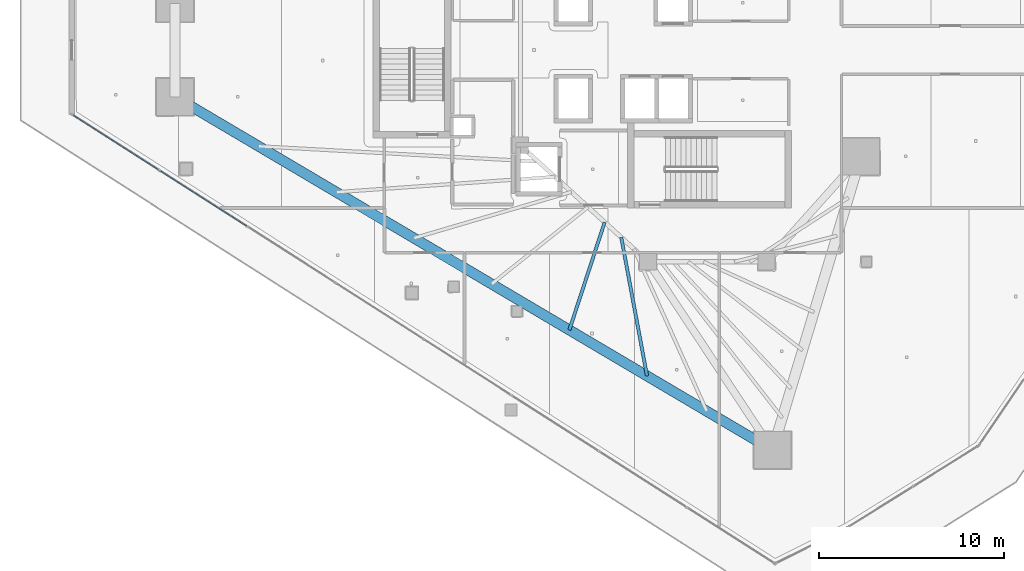
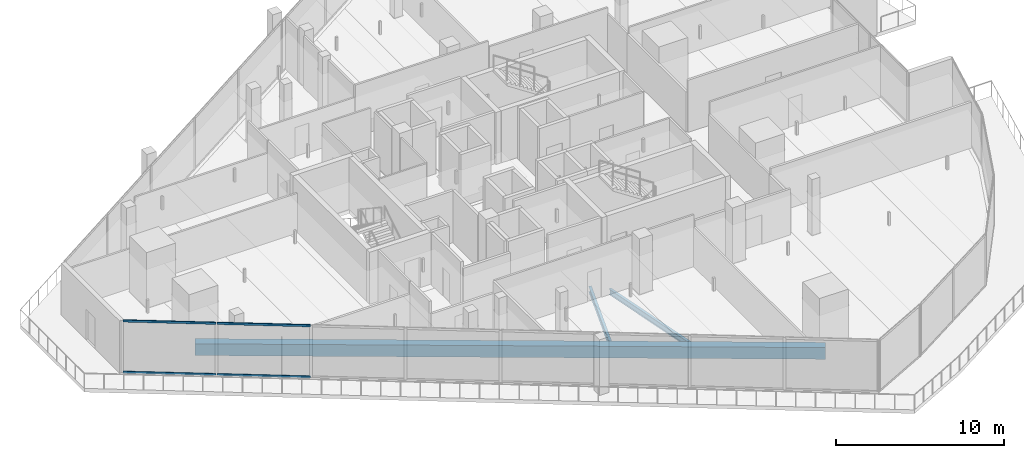
# One storey, part 5 of 36: 4 members, 3 beams, 1 element without a shape of its own.
"""IFC4 building model written with IfcOpenShell, lengths in metres."""

from ifc_helpers import new_model, si_unit, direction, frame, origin, origin_2d, place, context, subcontext, project, spatial, rectangle, hollow_rectangle, i_section, extrude, material, layer, layer_set, material_profile, profile_set, type_object, element, aggregate, save


model = new_model("IFC4")

# Units and contexts
model_context = context("Model", 3, precision=1e-05, world=origin(), true_north=direction((0.0, 1.0)))
body_context = subcontext(model_context, "Body", "Model", "MODEL_VIEW")
ifc_project = project(units=[si_unit("LENGTHUNIT", "METRE"), si_unit("AREAUNIT", "SQUARE_METRE"), si_unit("VOLUMEUNIT", "CUBIC_METRE"), si_unit("PLANEANGLEUNIT", "RADIAN"), si_unit("MASSUNIT", "GRAM", prefix="KILO")], contexts=[model_context])

# Site, building, storey
site_placement = place(None, origin())
site = spatial("IfcSite", under=ifc_project, at=site_placement, CompositionType="ELEMENT")
building_placement = place(site_placement, origin())
building = spatial("IfcBuilding", under=site, at=building_placement, Name="Qorvath Tower", CompositionType="ELEMENT")
storey_placement = place(building_placement, frame((0.0, 0.0, 205.050048828125)))
storey = spatial("IfcBuildingStorey", under=building, at=storey_placement, Name="L47", CompositionType="ELEMENT", Elevation=205.050048828125)

# Beams
ifc_material_1 = material(Name="Steel ASTM A992 Grade 50", Category="steel")
ifc_material_profile_1 = material_profile(ifc_material_1, i_section(OverallWidth=0.177978515625, OverallDepth=0.406005859375, WebThickness=0.0078125, FlangeThickness=0.0126953125, FilletRadius=0.010986328125, at=origin_2d()), Name="W16x40")
ifc_profile_set_1 = profile_set([ifc_material_profile_1], Name="Steel ASTM A992 Grade 50")
beam_type_1 = type_object("IfcBeamType", Name="BM-FJ3", PredefinedType="JOIST", material=ifc_profile_set_1)
beam_1_placement = place(storey_placement, frame((-25.946044921875, -9.30810546875, -0.47314453125), z_axis=(-0.311228747452, -0.950335028692, 0.0), x_axis=(0.950335028692, -0.311228747452, 0.0)))
element("IfcBeam", 1, at=beam_1_placement, inside=storey, type_object=beam_type_1, Name="Composite Floor Joist SW5 L47", PredefinedType="JOIST", context=body_context, shape_type="SweptSolid", body=[
    extrude(i_section(OverallWidth=0.177978515625, OverallDepth=0.406005859375, WebThickness=0.0078125, FlangeThickness=0.0126953125, FilletRadius=0.010986328125, at=origin_2d()), origin(), (0.0, 0.0, 1.0), 6.129638671875),
])
beam_2_placement = place(storey_placement, frame((-25.049072265625, -10.126953125, -0.47314453125), z_axis=(0.183026775988, -0.983107928598, 0.0), x_axis=(0.983107928598, 0.183026775988, 0.0)))
element("IfcBeam", 2, at=beam_2_placement, inside=storey, type_object=beam_type_1, Name="Composite Floor Joist SW6 L47", PredefinedType="JOIST", context=body_context, shape_type="SweptSolid", body=[
    extrude(i_section(OverallWidth=0.177978515625, OverallDepth=0.406005859375, WebThickness=0.0078125, FlangeThickness=0.0126953125, FilletRadius=0.010986328125, at=origin_2d()), origin(), (0.0, 0.0, 1.0), 7.617919921875),
])
ifc_material_2 = material(Name="Concrete C50/60", Category="concrete")
ifc_material_profile_2 = material_profile(ifc_material_2, rectangle(XDim=0.550048828125, YDim=0.85009765625, at=origin_2d()), Name="RCB 850x550")
ifc_profile_set_2 = profile_set([ifc_material_profile_2], Name="Concrete C50/60")
beam_type_2 = type_object("IfcBeamType", Name="BM-RCB2", PredefinedType="SPANDREL", material=ifc_profile_set_2)
beam_3_placement = place(storey_placement, frame((-49.171875, -2.52783203125, -0.695068359375), z_axis=(0.860776759786, -0.50898268125, 0.0), x_axis=(0.50898268125, 0.860776759786, 0.0)))
element("IfcBeam", 3, at=beam_3_placement, inside=storey, type_object=beam_type_2, Name="Perimeter Loggia Frame Beam MC2-MC3 L47", PredefinedType="SPANDREL", context=body_context, shape_type="SweptSolid", body=[
    extrude(rectangle(XDim=0.550048828125, YDim=0.85009765625, at=origin_2d()), origin(), (0.0, 0.0, 1.0), 37.524658203125),
])

# Curtain wall, members
ifc_material_3 = material(Name="Anodised aluminium and triple low-E glass", Category="aluminium")
ifc_layer = layer(ifc_material_3, 0.179931640625)
ifc_layer_set = layer_set([ifc_layer], Name="CW-SYS-3")
curtain_wall_type = type_object("IfcCurtainWallType", Name="CW-SYS-3", PredefinedType="NOTDEFINED", material=ifc_layer_set)
curtain_wall_placement = place(storey_placement, origin())
curtain_wall = element("IfcCurtainWall", 4, at=curtain_wall_placement, inside=storey, type_object=curtain_wall_type, Name="Curtain Wall CW-3 CW-T-L47-2.1", PredefinedType="NOTDEFINED")
ifc_material_4 = material(Name="Anodised aluminium 6063-T6", Category="aluminium")
ifc_material_profile_3 = material_profile(ifc_material_4, hollow_rectangle(XDim=0.06494140625, YDim=0.159912109375, WallThickness=0.00341796875, InnerFilletRadius=0.00341796875, OuterFilletRadius=0.007080078125, at=origin_2d()), Name="CWT 160x65")
ifc_profile_set_3 = profile_set([ifc_material_profile_3], Name="Anodised aluminium 6063-T6")
member_type = type_object("IfcMemberType", Name="CWT-160", PredefinedType="USERDEFINED", material=ifc_profile_set_3)
member_1_placement = place(storey_placement, frame((-54.7080078125, -3.50634765625, 0.032470703125), z_axis=(0.842595217297, -0.538547397903, 0.0), x_axis=(0.538547397903, 0.842595217297, 0.0)))
member_1 = element("IfcMember", 5, at=member_1_placement, type_object=member_type, Name="CW-3 transom 1.1", ObjectType="TRANSOM", PredefinedType="USERDEFINED", context=body_context, shape_type="SweptSolid", body=[
    extrude(hollow_rectangle(XDim=0.06494140625, YDim=0.159912109375, WallThickness=0.00341796875, InnerFilletRadius=0.00341796875, OuterFilletRadius=0.007080078125, at=origin_2d()), origin(), (0.0, 0.0, 1.0), 5.54296875),
])
member_2_placement = place(storey_placement, frame((-54.7080078125, -3.50634765625, 3.74755859375), z_axis=(0.842595217297, -0.538547397903, 0.0), x_axis=(0.538547397903, 0.842595217297, 0.0)))
member_2 = element("IfcMember", 6, at=member_2_placement, type_object=member_type, Name="CW-3 transom 1.2", ObjectType="TRANSOM", PredefinedType="USERDEFINED", context=body_context, shape_type="SweptSolid", body=[
    extrude(hollow_rectangle(XDim=0.06494140625, YDim=0.159912109375, WallThickness=0.00341796875, InnerFilletRadius=0.00341796875, OuterFilletRadius=0.007080078125, at=origin_2d()), origin(), (0.0, 0.0, 1.0), 5.54296875),
])
member_3_placement = place(storey_placement, frame((-49.98291015625, -6.5263671875, 0.032470703125), z_axis=(0.842606844645, -0.538529205667, 0.0), x_axis=(0.538529205667, 0.842606844645, 0.0)))
member_3 = element("IfcMember", 7, at=member_3_placement, type_object=member_type, Name="CW-3 transom 2.1", ObjectType="TRANSOM", PredefinedType="USERDEFINED", context=body_context, shape_type="SweptSolid", body=[
    extrude(hollow_rectangle(XDim=0.06494140625, YDim=0.159912109375, WallThickness=0.00341796875, InnerFilletRadius=0.00341796875, OuterFilletRadius=0.007080078125, at=origin_2d()), origin(), (0.0, 0.0, 1.0), 5.5751953125),
])
member_4_placement = place(storey_placement, frame((-49.98291015625, -6.5263671875, 3.74755859375), z_axis=(0.842606844645, -0.538529205667, 0.0), x_axis=(0.538529205667, 0.842606844645, 0.0)))
member_4 = element("IfcMember", 8, at=member_4_placement, type_object=member_type, Name="CW-3 transom 2.2", ObjectType="TRANSOM", PredefinedType="USERDEFINED", context=body_context, shape_type="SweptSolid", body=[
    extrude(hollow_rectangle(XDim=0.06494140625, YDim=0.159912109375, WallThickness=0.00341796875, InnerFilletRadius=0.00341796875, OuterFilletRadius=0.007080078125, at=origin_2d()), origin(), (0.0, 0.0, 1.0), 5.5751953125),
])
aggregate(curtain_wall, [member_1, member_2, member_3, member_4])

save(model, "model.ifc")
